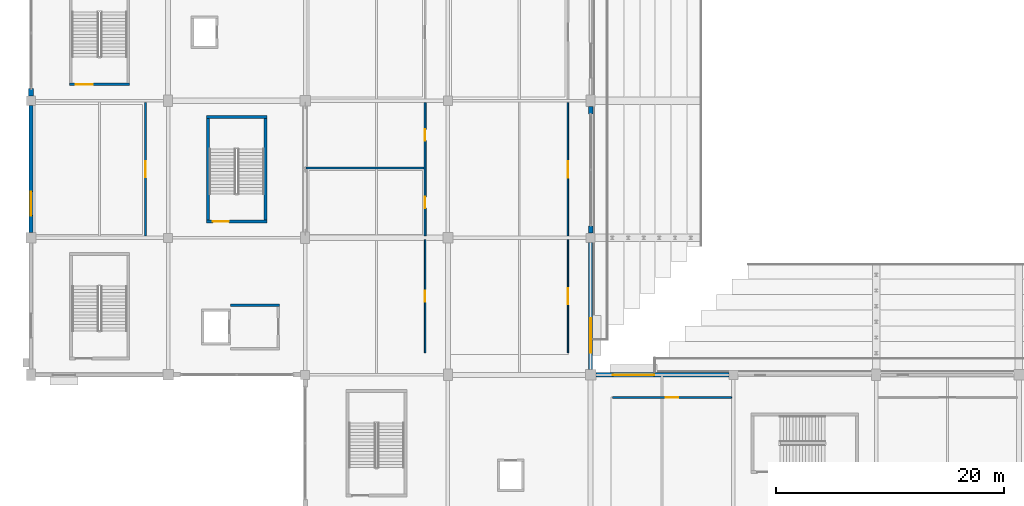
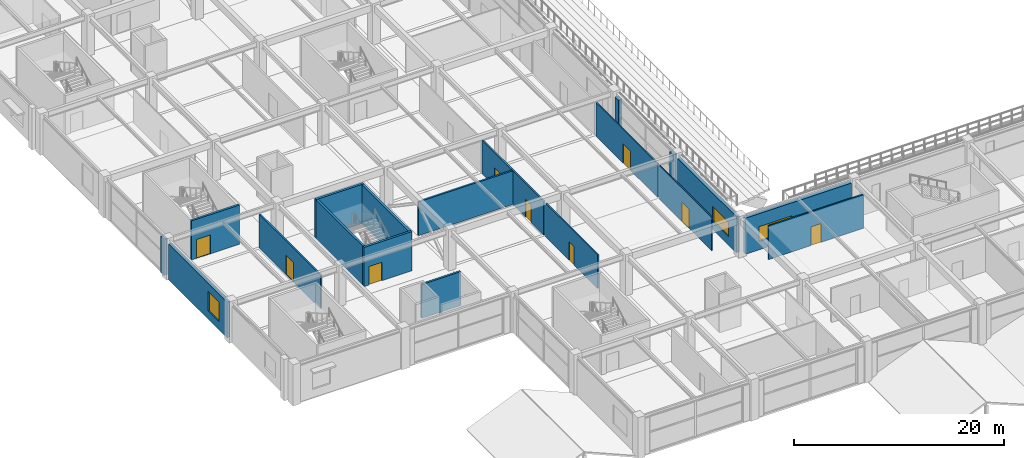
# One storey, part 77 of 134: 19 walls, 9 doors, 3 windows, 12 openings.
"""IFC4 building model written with IfcOpenShell, lengths in metres."""

from ifc_helpers import new_model, si_unit, direction, frame, frame_2d, origin, place, context, subcontext, project, spatial, rectangle, extrude, material, layer, layer_set, type_object, element, fill, save


model = new_model("IFC4")

# Units and contexts
model_context = context("Model", 3, precision=1e-05, world=origin(), true_north=direction((0.0, 1.0)))
body_context = subcontext(model_context, "Body", "Model", "MODEL_VIEW")
ifc_project = project(units=[si_unit("LENGTHUNIT", "METRE"), si_unit("AREAUNIT", "SQUARE_METRE"), si_unit("VOLUMEUNIT", "CUBIC_METRE"), si_unit("PLANEANGLEUNIT", "RADIAN"), si_unit("MASSUNIT", "GRAM", prefix="KILO")], contexts=[model_context])

# Site, building, storey
site_placement = place(None, origin())
site = spatial("IfcSite", under=ifc_project, at=site_placement, CompositionType="ELEMENT")
building_placement = place(site_placement, origin())
building = spatial("IfcBuilding", under=site, at=building_placement, Name="Kazenohara Klinker Stadium", CompositionType="ELEMENT")
storey_placement = place(building_placement, frame((0.0, 0.0, 5.39990234375)))
storey = spatial("IfcBuildingStorey", under=building, at=storey_placement, Name="L01", CompositionType="ELEMENT", Elevation=5.39990234375)

# Wall, opening, door
ifc_material_1 = material(Name="Concrete C40/50", Category="concrete")
ifc_layer_1 = layer(ifc_material_1, 0.22998046875)
ifc_layer_set_1 = layer_set([ifc_layer_1], Name="Concrete C40/50")
wall_type_1 = type_object("IfcWallType", Name="WAL-CORE-230", PredefinedType="SHEAR", material=ifc_layer_set_1)
wall_1_placement = place(storey_placement, frame((3.3701171875, 61.43505859375, 0.0), z_axis=(0.0, 0.0, 1.0), x_axis=(1.0, 0.0, 0.0)))
wall_1 = element("IfcWall", 1, at=wall_1_placement, inside=storey, type_object=wall_type_1, Name="Stairwell shear wall ST02 L01 South", PredefinedType="SHEAR", context=body_context, shape_type="SweptSolid", body=[
    extrude(rectangle(XDim=5.259765625, YDim=0.22998046875, at=frame_2d((2.6298828125, 0.0))), origin(), (0.0, 0.0, 1.0), 4.550048828125),
])
opening_1_placement = place(wall_1_placement, frame((0.550048828125, 0.0, 0.0)))
opening_1 = element("IfcOpeningElement", 2, at=opening_1_placement, cuts=wall_1, Name="Opening SD02", PredefinedType="OPENING", context=body_context, shape_type="SweptSolid", body=[
    extrude(rectangle(XDim=1.5, YDim=2.199951171875, at=frame_2d((0.75, 1.10009765625))), frame((0.0, 0.125, 0.0), z_axis=(0.0, -1.0, 0.0), x_axis=(1.0, 0.0, 0.0)), (0.0, 0.0, 1.0), 0.25),
])
ifc_material_2 = material(Name="Flush painted steel fire door leaf", Category="steel")
door_type_1 = type_object("IfcDoorType", Name="DR-STR-1500x2200", OperationType="NOTDEFINED", PredefinedType="DOOR", material=ifc_material_2)
door_1_placement = place(opening_1_placement, origin())
door_1 = element("IfcDoor", 3, at=door_1_placement, inside=storey, type_object=door_type_1, Name="Escape stairwell fire door ST02-L01", OperationType="SINGLE_SWING_RIGHT", OverallHeight=2.199951171875, OverallWidth=1.5, PredefinedType="DOOR", context=body_context, shape_type="SweptSolid", body=[
    extrude(rectangle(XDim=1.5, YDim=2.199951171875, at=frame_2d((0.75, 1.10009765625))), frame((0.0, 0.02490234375, 0.0), z_axis=(0.0, -1.0, 0.0), x_axis=(1.0, 0.0, 0.0)), (0.0, 0.0, 1.0), 0.050048828125),
])
fill(opening_1, door_1)

ifc_layer_2 = layer(ifc_material_1, 0.25)
ifc_layer_set_2 = layer_set([ifc_layer_2], Name="Concrete C40/50")
wall_type_2 = type_object("IfcWallType", Name="WAL-CORE-250", PredefinedType="SHEAR", material=ifc_layer_set_2)
wall_2_placement = place(storey_placement, frame((15.360107421875, 49.425048828125, 0.0), z_axis=(0.0, 0.0, 1.0), x_axis=(1.0, 0.0, 0.0)))
wall_2 = element("IfcWall", 4, at=wall_2_placement, inside=storey, type_object=wall_type_2, Name="Stairwell shear wall ST13 L01 South", PredefinedType="SHEAR", context=body_context, shape_type="SweptSolid", body=[
    extrude(rectangle(XDim=5.27978515625, YDim=0.25, at=frame_2d((2.639892578125, 0.0))), origin(), (0.0, 0.0, 1.0), 4.550048828125),
])
opening_2_placement = place(wall_2_placement, frame((0.550048828125, 0.0, 0.0)))
opening_2 = element("IfcOpeningElement", 5, at=opening_2_placement, cuts=wall_2, Name="Opening SD01", PredefinedType="OPENING", context=body_context, shape_type="SweptSolid", body=[
    extrude(rectangle(XDim=1.39990234375, YDim=2.14990234375, at=frame_2d((0.699951171875, 1.074951171875))), frame((0.0, 0.135009765625, 0.0), z_axis=(0.0, -1.0, 0.0), x_axis=(1.0, 0.0, 0.0)), (0.0, 0.0, 1.0), 0.27001953125),
])
door_type_2 = type_object("IfcDoorType", Name="DR-STR-1400x2150", OperationType="NOTDEFINED", PredefinedType="DOOR", material=ifc_material_2)
door_2_placement = place(opening_2_placement, origin())
door_2 = element("IfcDoor", 6, at=door_2_placement, inside=storey, type_object=door_type_2, Name="Escape stairwell fire door ST13-L01", OperationType="SINGLE_SWING_RIGHT", OverallHeight=2.14990234375, OverallWidth=1.39990234375, PredefinedType="DOOR", context=body_context, shape_type="SweptSolid", body=[
    extrude(rectangle(XDim=1.39990234375, YDim=2.14990234375, at=frame_2d((0.699951171875, 1.074951171875))), frame((0.0, 0.02490234375, 0.0), z_axis=(0.0, -1.0, 0.0), x_axis=(1.0, 0.0, 0.0)), (0.0, 0.0, 1.0), 0.050048828125),
])
fill(opening_2, door_2)

# Walls
wall_3_placement = place(storey_placement, frame((15.360107421875, 58.574951171875, 0.0), z_axis=(0.0, 0.0, 1.0), x_axis=(1.0, 0.0, 0.0)))
element("IfcWall", 7, at=wall_3_placement, inside=storey, type_object=wall_type_2, Name="Stairwell shear wall ST13 L01 North", PredefinedType="SHEAR", context=body_context, shape_type="SweptSolid", body=[
    extrude(rectangle(XDim=5.27978515625, YDim=0.25, at=frame_2d((2.639892578125, 0.0))), origin(), (0.0, 0.0, 1.0), 4.550048828125),
])
for number, where, z_axis, x_axis, name in (
    (8, (15.485107421875, 49.550048828125, 0.0), (0.0, 0.0, 1.0), (0.0, 1.0, 0.0), "Stairwell shear wall ST13 L01 West"),
    (9, (20.514892578125, 49.550048828125, 0.0), (0.0, 0.0, 1.0), (0.0, 1.0, 0.0), "Stairwell shear wall ST13 L01 East"),
):
    element("IfcWall", number, at=place(storey_placement, frame(where, z_axis=z_axis, x_axis=x_axis)), inside=storey, type_object=wall_type_2, Name=name, PredefinedType="SHEAR", context=body_context, shape_type="SweptSolid", body=[
        extrude(rectangle(XDim=8.89990234375, YDim=0.25, at=frame_2d((4.449951171875, 0.0))), origin(), (0.0, 0.0, 1.0), 4.550048828125),
    ])

# Wall, opening, window
ifc_material_3 = material(Name="Clinker brick masonry", Category="masonry")
ifc_layer_3 = layer(ifc_material_3, 0.340087890625)
ifc_layer_set_3 = layer_set([ifc_layer_3], Name="Clinker brick masonry")
wall_type_3 = type_object("IfcWallType", Name="WAL-EXT-CB340", PredefinedType="SOLIDWALL", material=ifc_layer_set_3)
wall_4_placement = place(storey_placement, frame((0.0, 48.4541015625, 0.0), z_axis=(0.0, 0.0, 1.0), x_axis=(0.0, 1.0, 0.0)))
wall_4 = element("IfcWall", 10, at=wall_4_placement, inside=storey, type_object=wall_type_3, Name="Clinker brick cavity wall EW04 L01 Y0-4", PredefinedType="SOLIDWALL", context=body_context, shape_type="SweptSolid", body=[
    extrude(rectangle(XDim=11.141845703125, YDim=0.340087890625, at=frame_2d((5.57080078125, 0.0))), origin(), (0.0, 0.0, 1.0), 4.150146484375),
])
opening_3_placement = place(wall_4_placement, frame((1.5, 0.0, 0.949951171875)))
opening_3 = element("IfcOpeningElement", 11, at=opening_3_placement, cuts=wall_4, Name="Opening W19", PredefinedType="OPENING", context=body_context, shape_type="SweptSolid", body=[
    extrude(rectangle(XDim=2.10009765625, YDim=2.25, at=frame_2d((1.050048828125, 1.125))), frame((0.0, 0.18017578125, 0.0), z_axis=(0.0, -1.0, 0.0), x_axis=(1.0, 0.0, 0.0)), (0.0, 0.0, 1.0), 0.360107421875),
])
ifc_material_4 = material(Name="Dark bronze aluminium frame and triple glazing", Category="aluminium")
window_type_1 = type_object("IfcWindowType", Name="WIN-AS-19", PartitioningType="SINGLE_PANEL", PredefinedType="WINDOW", material=ifc_material_4)
window_1_placement = place(opening_3_placement, origin())
window_1 = element("IfcWindow", 12, at=window_1_placement, inside=storey, type_object=window_type_1, Name="Horizontal-mullion ladder window W19 L01 Y0-4", OverallHeight=2.25, OverallWidth=2.10009765625, PartitioningType="SINGLE_PANEL", PredefinedType="WINDOW", context=body_context, shape_type="SweptSolid", body=[
    extrude(rectangle(XDim=2.10009765625, YDim=2.25, at=frame_2d((1.050048828125, 1.125))), frame((0.0, 0.030029296875, 0.0), z_axis=(0.0, -1.0, 0.0), x_axis=(1.0, 0.0, 0.0)), (0.0, 0.0, 1.0), 0.06005859375),
])
fill(opening_3, window_1)

wall_5_placement = place(storey_placement, frame((49.0, 36.4541015625, 0.0), z_axis=(0.0, 0.0, 1.0), x_axis=(0.0, 1.0, 0.0)))
wall_5 = element("IfcWall", 13, at=wall_5_placement, inside=storey, type_object=wall_type_3, Name="Clinker brick cavity wall EW04 L01 Y4-3", PredefinedType="SOLIDWALL", context=body_context, shape_type="SweptSolid", body=[
    extrude(rectangle(XDim=11.141845703125, YDim=0.340087890625, at=frame_2d((5.57080078125, 0.0))), origin(), (0.0, 0.0, 1.0), 4.2001953125),
])
opening_4_placement = place(wall_5_placement, frame((1.5, 0.0, 0.949951171875)))
opening_4 = element("IfcOpeningElement", 14, at=opening_4_placement, cuts=wall_5, Name="Opening W30", PredefinedType="OPENING", context=body_context, shape_type="SweptSolid", body=[
    extrude(rectangle(XDim=3.0, YDim=1.699951171875, at=frame_2d((1.5, 0.85009765625))), frame((0.0, 0.18017578125, 0.0), z_axis=(0.0, -1.0, 0.0), x_axis=(1.0, 0.0, 0.0)), (0.0, 0.0, 1.0), 0.360107421875),
])
window_type_2 = type_object("IfcWindowType", Name="WIN-AS-30", PartitioningType="SINGLE_PANEL", PredefinedType="WINDOW", material=ifc_material_4)
window_2_placement = place(opening_4_placement, origin())
window_2 = element("IfcWindow", 15, at=window_2_placement, inside=storey, type_object=window_type_2, Name="Horizontal-mullion ladder window W30 L01 Y4-3", OverallHeight=1.699951171875, OverallWidth=3.0, PartitioningType="SINGLE_PANEL", PredefinedType="WINDOW", context=body_context, shape_type="SweptSolid", body=[
    extrude(rectangle(XDim=3.0, YDim=1.699951171875, at=frame_2d((1.5, 0.85009765625))), frame((0.0, 0.030029296875, 0.0), z_axis=(0.0, -1.0, 0.0), x_axis=(1.0, 0.0, 0.0)), (0.0, 0.0, 1.0), 0.06005859375),
])
fill(opening_4, window_2)

# Walls
ifc_layer_4 = layer(ifc_material_3, 0.409912109375)
ifc_layer_set_4 = layer_set([ifc_layer_4], Name="Clinker brick masonry")
wall_type_4 = type_object("IfcWallType", Name="WAL-EXT-CB410", PredefinedType="SOLIDWALL", material=ifc_layer_set_4)
wall_6_placement = place(storey_placement, frame((0.0, 60.404052734375, 0.0), z_axis=(0.0, 0.0, 1.0), x_axis=(0.0, 1.0, 0.0)))
element("IfcWall", 16, at=wall_6_placement, inside=storey, type_object=wall_type_4, Name="Clinker brick curtain-wall jamb pier L01 Y0-5 A", PredefinedType="SOLIDWALL", context=body_context, shape_type="SweptSolid", body=[
    extrude(rectangle(XDim=0.64990234375, YDim=0.409912109375, at=frame_2d((0.324951171875, 0.0))), origin(), (0.0, 0.0, 1.0), 4.2001953125),
])
wall_7_placement = place(storey_placement, frame((49.0, 48.404052734375, 0.0), z_axis=(0.0, 0.0, 1.0), x_axis=(0.0, 1.0, 0.0)))
element("IfcWall", 17, at=wall_7_placement, inside=storey, type_object=wall_type_4, Name="Clinker brick curtain-wall jamb pier L01 Y4-4 A", PredefinedType="SOLIDWALL", context=body_context, shape_type="SweptSolid", body=[
    extrude(rectangle(XDim=0.64990234375, YDim=0.409912109375, at=frame_2d((0.324951171875, 0.0))), origin(), (0.0, 0.0, 1.0), 4.150146484375),
])
wall_8_placement = place(storey_placement, frame((49.0, 58.845947265625, 0.0), z_axis=(0.0, 0.0, 1.0), x_axis=(0.0, 1.0, 0.0)))
element("IfcWall", 18, at=wall_8_placement, inside=storey, type_object=wall_type_4, Name="Clinker brick curtain-wall jamb pier L01 Y4-4 B", PredefinedType="SOLIDWALL", context=body_context, shape_type="SweptSolid", body=[
    extrude(rectangle(XDim=0.650146484375, YDim=0.409912109375, at=frame_2d((0.3251953125, 0.0))), origin(), (0.0, 0.0, 1.0), 4.150146484375),
])

# Wall, opening, window
wall_9_placement = place(storey_placement, frame((49.4541015625, 36.0, 0.0), z_axis=(0.0, 0.0, 1.0), x_axis=(1.0, 0.0, 0.0)))
wall_9 = element("IfcWall", 19, at=wall_9_placement, inside=storey, type_object=wall_type_4, Name="Clinker brick cavity wall EW02 L01 X4-3", PredefinedType="SOLIDWALL", context=body_context, shape_type="SweptSolid", body=[
    extrude(rectangle(XDim=11.641845703125, YDim=0.409912109375, at=frame_2d((5.82080078125, 0.0))), origin(), (0.0, 0.0, 1.0), 4.2001953125),
])
opening_5_placement = place(wall_9_placement, frame((1.5, 0.0, 0.949951171875)))
opening_5 = element("IfcOpeningElement", 20, at=opening_5_placement, cuts=wall_9, Name="Opening W35", PredefinedType="OPENING", context=body_context, shape_type="SweptSolid", body=[
    extrude(rectangle(XDim=3.60009765625, YDim=1.75, at=frame_2d((1.800048828125, 0.875))), frame((0.0, 0.21484375, 0.0), z_axis=(0.0, -1.0, 0.0), x_axis=(1.0, 0.0, 0.0)), (0.0, 0.0, 1.0), 0.429931640625),
])
window_type_3 = type_object("IfcWindowType", Name="WIN-AS-35", PartitioningType="SINGLE_PANEL", PredefinedType="WINDOW", material=ifc_material_4)
window_3_placement = place(opening_5_placement, origin())
window_3 = element("IfcWindow", 21, at=window_3_placement, inside=storey, type_object=window_type_3, Name="Horizontal-mullion ladder window W35 L01 X4-3", OverallHeight=1.75, OverallWidth=3.60009765625, PartitioningType="SINGLE_PANEL", PredefinedType="WINDOW", context=body_context, shape_type="SweptSolid", body=[
    extrude(rectangle(XDim=3.60009765625, YDim=1.75, at=frame_2d((1.800048828125, 0.875))), frame((0.0, 0.030029296875, 0.0), z_axis=(0.0, -1.0, 0.0), x_axis=(1.0, 0.0, 0.0)), (0.0, 0.0, 1.0), 0.06005859375),
])
fill(opening_5, window_3)

# Wall
ifc_layer_5 = layer(ifc_material_1, 0.219970703125)
ifc_layer_set_5 = layer_set([ifc_layer_5], Name="Concrete C40/50")
wall_type_5 = type_object("IfcWallType", Name="WAL-INT-FF220", PredefinedType="SOLIDWALL", material=ifc_layer_set_5)
wall_10_placement = place(storey_placement, frame((17.47998046875, 42.110107421875, 0.0), z_axis=(0.0, 0.0, 1.0), x_axis=(1.0, 0.0, 0.0)))
element("IfcWall", 22, at=wall_10_placement, inside=storey, type_object=wall_type_5, Name="Firefighting lobby wall LF01 L01 North", PredefinedType="SOLIDWALL", context=body_context, shape_type="SweptSolid", body=[
    extrude(rectangle(XDim=4.2900390625, YDim=0.219970703125, at=frame_2d((2.14501953125, 0.0))), origin(), (0.0, 0.0, 1.0), 3.920166015625),
])

# Wall, opening, door
ifc_material_5 = material(Name="Fire-rated gypsum board on acoustic studs", Category="gypsum")
ifc_layer_6 = layer(ifc_material_5, 0.110107421875)
ifc_layer_set_6 = layer_set([ifc_layer_6], Name="Fire-rated gypsum board on acoustic studs")
wall_type_6 = type_object("IfcWallType", Name="WAL-INT-P110", PredefinedType="PARTITIONING", material=ifc_layer_set_6)
wall_11_placement = place(storey_placement, frame((47.010009765625, 37.919921875, 0.0), z_axis=(0.0, 0.0, 1.0), x_axis=(0.0, 1.0, 0.0)))
wall_11 = element("IfcWall", 23, at=wall_11_placement, inside=storey, type_object=wall_type_6, Name="Interior partition wall PT01 SPC-L01-03-03-1-1", PredefinedType="PARTITIONING", context=body_context, shape_type="SweptSolid", body=[
    extrude(rectangle(XDim=9.920166015625, YDim=0.110107421875, at=frame_2d((4.9599609375, 0.0))), origin(), (0.0, 0.0, 1.0), 3.920166015625),
])
opening_6_placement = place(wall_11_placement, frame((4.260009765625, 0.0, 0.0)))
opening_6 = element("IfcOpeningElement", 24, at=opening_6_placement, cuts=wall_11, Name="Opening ID18", PredefinedType="OPENING", context=body_context, shape_type="SweptSolid", body=[
    extrude(rectangle(XDim=1.39990234375, YDim=2.239990234375, at=frame_2d((0.699951171875, 1.1201171875))), frame((0.0, 0.06494140625, 0.0), z_axis=(0.0, -1.0, 0.0), x_axis=(1.0, 0.0, 0.0)), (0.0, 0.0, 1.0), 0.130126953125),
])
ifc_material_6 = material(Name="Solid-core Hokkaido oak fire door", Category="wood")
door_type_3 = type_object("IfcDoorType", Name="DR-INT-18", OperationType="NOTDEFINED", PredefinedType="DOOR", material=ifc_material_6)
door_3_placement = place(opening_6_placement, origin())
door_3 = element("IfcDoor", 25, at=door_3_placement, inside=storey, type_object=door_type_3, Name="Interior door ID18 Concourse Hokkaido Seafood Bistro L01-0303A", OperationType="SINGLE_SWING_LEFT", OverallHeight=2.239990234375, OverallWidth=1.39990234375, PredefinedType="DOOR", context=body_context, shape_type="SweptSolid", body=[
    extrude(rectangle(XDim=1.39990234375, YDim=2.239990234375, at=frame_2d((0.699951171875, 1.1201171875))), frame((0.0, 0.02490234375, 0.0), z_axis=(0.0, -1.0, 0.0), x_axis=(1.0, 0.0, 0.0)), (0.0, 0.0, 1.0), 0.050048828125),
])
fill(opening_6, door_3)

ifc_layer_7 = layer(ifc_material_5, 0.139892578125)
ifc_layer_set_7 = layer_set([ifc_layer_7], Name="Fire-rated gypsum board on acoustic studs")
wall_type_7 = type_object("IfcWallType", Name="WAL-INT-P140", PredefinedType="PARTITIONING", material=ifc_layer_set_7)
wall_12_placement = place(storey_placement, frame((34.510009765625, 37.919921875, 0.0), z_axis=(0.0, 0.0, 1.0), x_axis=(0.0, 1.0, 0.0)))
wall_12 = element("IfcWall", 26, at=wall_12_placement, inside=storey, type_object=wall_type_7, Name="Interior partition wall PT03 SPC-L01-02-03-1-1", PredefinedType="PARTITIONING", context=body_context, shape_type="SweptSolid", body=[
    extrude(rectangle(XDim=9.920166015625, YDim=0.139892578125, at=frame_2d((4.9599609375, 0.0))), origin(), (0.0, 0.0, 1.0), 3.920166015625),
])
opening_7_placement = place(wall_12_placement, frame((4.485107421875, 0.0, 0.0)))
opening_7 = element("IfcOpeningElement", 27, at=opening_7_placement, cuts=wall_12, Name="Opening ID03", PredefinedType="OPENING", context=body_context, shape_type="SweptSolid", body=[
    extrude(rectangle(XDim=0.949951171875, YDim=2.1201171875, at=frame_2d((0.47509765625, 1.06005859375))), frame((0.0, 0.080078125, 0.0), z_axis=(0.0, -1.0, 0.0), x_axis=(1.0, 0.0, 0.0)), (0.0, 0.0, 1.0), 0.159912109375),
])
door_type_4 = type_object("IfcDoorType", Name="DR-INT-03", OperationType="NOTDEFINED", PredefinedType="DOOR", material=ifc_material_6)
door_4_placement = place(opening_7_placement, origin())
door_4 = element("IfcDoor", 28, at=door_4_placement, inside=storey, type_object=door_type_4, Name="Interior door ID03 Community Martial Arts Fitness Studio L01-0203A", OperationType="SINGLE_SWING_RIGHT", OverallHeight=2.1201171875, OverallWidth=0.949951171875, PredefinedType="DOOR", context=body_context, shape_type="SweptSolid", body=[
    extrude(rectangle(XDim=0.949951171875, YDim=2.1201171875, at=frame_2d((0.47509765625, 1.06005859375))), frame((0.0, 0.02490234375, 0.0), z_axis=(0.0, -1.0, 0.0), x_axis=(1.0, 0.0, 0.0)), (0.0, 0.0, 1.0), 0.050048828125),
])
fill(opening_7, door_4)

wall_13_placement = place(storey_placement, frame((47.010009765625, 48.159912109375, 0.0), z_axis=(0.0, 0.0, 1.0), x_axis=(0.0, 1.0, 0.0)))
wall_13 = element("IfcWall", 29, at=wall_13_placement, inside=storey, type_object=wall_type_7, Name="Interior partition wall PT03 SPC-L01-03-04-1-1", PredefinedType="PARTITIONING", context=body_context, shape_type="SweptSolid", body=[
    extrude(rectangle(XDim=11.68017578125, YDim=0.139892578125, at=frame_2d((5.840087890625, 0.0))), origin(), (0.0, 0.0, 1.0), 3.920166015625),
])
opening_8_placement = place(wall_13_placement, frame((5.1201171875, 0.0, 0.0)))
opening_8 = element("IfcOpeningElement", 30, at=opening_8_placement, cuts=wall_13, Name="Opening ID19", PredefinedType="OPENING", context=body_context, shape_type="SweptSolid", body=[
    extrude(rectangle(XDim=1.43994140625, YDim=2.260009765625, at=frame_2d((0.719970703125, 1.1298828125))), frame((0.0, 0.080078125, 0.0), z_axis=(0.0, -1.0, 0.0), x_axis=(1.0, 0.0, 0.0)), (0.0, 0.0, 1.0), 0.159912109375),
])
ifc_material_7 = material(Name="Painted steel plant fire door", Category="steel")
door_type_5 = type_object("IfcDoorType", Name="DR-INT-19", OperationType="NOTDEFINED", PredefinedType="DOOR", material=ifc_material_7)
door_5_placement = place(opening_8_placement, origin())
door_5 = element("IfcDoor", 31, at=door_5_placement, inside=storey, type_object=door_type_5, Name="Interior door ID19 Community Martial Arts Fitness Studio L01-0304A", OperationType="SINGLE_SWING_RIGHT", OverallHeight=2.260009765625, OverallWidth=1.43994140625, PredefinedType="DOOR", context=body_context, shape_type="SweptSolid", body=[
    extrude(rectangle(XDim=1.43994140625, YDim=2.260009765625, at=frame_2d((0.719970703125, 1.1298828125))), frame((0.0, 0.02490234375, 0.0), z_axis=(0.0, -1.0, 0.0), x_axis=(1.0, 0.0, 0.0)), (0.0, 0.0, 1.0), 0.050048828125),
])
fill(opening_8, door_5)

ifc_layer_8 = layer(ifc_material_5, 0.14990234375)
ifc_layer_set_8 = layer_set([ifc_layer_8], Name="Fire-rated gypsum board on acoustic studs")
wall_type_8 = type_object("IfcWallType", Name="WAL-INT-P150", PredefinedType="PARTITIONING", material=ifc_layer_set_8)
wall_14_placement = place(storey_placement, frame((50.919921875, 34.010009765625, 0.0), z_axis=(0.0, 0.0, 1.0), x_axis=(1.0, 0.0, 0.0)))
wall_14 = element("IfcWall", 32, at=wall_14_placement, inside=storey, type_object=wall_type_8, Name="Interior partition wall PT04 SPC-L01-04-02-1-1", PredefinedType="PARTITIONING", context=body_context, shape_type="SweptSolid", body=[
    extrude(rectangle(XDim=10.420166015625, YDim=0.14990234375, at=frame_2d((5.2099609375, 0.0))), origin(), (0.0, 0.0, 1.0), 3.920166015625),
])
opening_9_placement = place(wall_14_placement, frame((5.77001953125, 0.0, 0.0), z_axis=(0.0, 0.0, 1.0), x_axis=(-1.0, 0.0, 0.0)))
opening_9 = element("IfcOpeningElement", 33, at=opening_9_placement, cuts=wall_14, Name="Opening ID09", PredefinedType="OPENING", context=body_context, shape_type="SweptSolid", body=[
    extrude(rectangle(XDim=1.1201171875, YDim=2.179931640625, at=frame_2d((0.56005859375, 1.08984375))), frame((0.0, 0.0849609375, 0.0), z_axis=(0.0, -1.0, 0.0), x_axis=(1.0, 0.0, 0.0)), (0.0, 0.0, 1.0), 0.169921875),
])
door_type_6 = type_object("IfcDoorType", Name="DR-INT-09", OperationType="NOTDEFINED", PredefinedType="DOOR", material=ifc_material_6)
door_6_placement = place(opening_9_placement, origin())
door_6 = element("IfcDoor", 34, at=door_6_placement, inside=storey, type_object=door_type_6, Name="Interior door ID09 Community Martial Arts Fitness Studio L01-0402A", OperationType="SINGLE_SWING_RIGHT", OverallHeight=2.179931640625, OverallWidth=1.1201171875, PredefinedType="DOOR", context=body_context, shape_type="SweptSolid", body=[
    extrude(rectangle(XDim=1.1201171875, YDim=2.179931640625, at=frame_2d((0.56005859375, 1.08984375))), frame((0.0, 0.02490234375, 0.0), z_axis=(0.0, -1.0, 0.0), x_axis=(1.0, 0.0, 0.0)), (0.0, 0.0, 1.0), 0.050048828125),
])
fill(opening_9, door_6)

ifc_layer_9 = layer(ifc_material_5, 0.169921875)
ifc_layer_set_9 = layer_set([ifc_layer_9], Name="Fire-rated gypsum board on acoustic studs")
wall_type_9 = type_object("IfcWallType", Name="WAL-INT-P170", PredefinedType="PARTITIONING", material=ifc_layer_set_9)
wall_15_placement = place(storey_placement, frame((10.010009765625, 48.159912109375, 0.0), z_axis=(0.0, 0.0, 1.0), x_axis=(0.0, 1.0, 0.0)))
wall_15 = element("IfcWall", 35, at=wall_15_placement, inside=storey, type_object=wall_type_9, Name="Interior partition wall PT05 SPC-L01-00-04-1-1", PredefinedType="PARTITIONING", context=body_context, shape_type="SweptSolid", body=[
    extrude(rectangle(XDim=11.68017578125, YDim=0.169921875, at=frame_2d((5.840087890625, 0.0))), origin(), (0.0, 0.0, 1.0), 3.920166015625),
])
opening_10_placement = place(wall_15_placement, frame((5.139892578125, 0.0, 0.0)))
opening_10 = element("IfcOpeningElement", 36, at=opening_10_placement, cuts=wall_15, Name="Opening ID18", PredefinedType="OPENING", context=body_context, shape_type="SweptSolid", body=[
    extrude(rectangle(XDim=1.39990234375, YDim=2.239990234375, at=frame_2d((0.699951171875, 1.1201171875))), frame((0.0, 0.094970703125, 0.0), z_axis=(0.0, -1.0, 0.0), x_axis=(1.0, 0.0, 0.0)), (0.0, 0.0, 1.0), 0.18994140625),
])
door_7_placement = place(opening_10_placement, origin())
door_7 = element("IfcDoor", 37, at=door_7_placement, inside=storey, type_object=door_type_3, Name="Interior door ID18 Family Sensory Hospitality Lounge L01-0004A", OperationType="SINGLE_SWING_LEFT", OverallHeight=2.239990234375, OverallWidth=1.39990234375, PredefinedType="DOOR", context=body_context, shape_type="SweptSolid", body=[
    extrude(rectangle(XDim=1.39990234375, YDim=2.239990234375, at=frame_2d((0.699951171875, 1.1201171875))), frame((0.0, 0.02490234375, 0.0), z_axis=(0.0, -1.0, 0.0), x_axis=(1.0, 0.0, 0.0)), (0.0, 0.0, 1.0), 0.050048828125),
])
fill(opening_10, door_7)

# Wall, openings, doors
wall_16_placement = place(storey_placement, frame((34.510009765625, 48.159912109375, 0.0), z_axis=(0.0, 0.0, 1.0), x_axis=(0.0, 1.0, 0.0)))
wall_16 = element("IfcWall", 38, at=wall_16_placement, inside=storey, type_object=wall_type_9, Name="Interior partition wall PT05 SPC-L01-02-04-1-1", PredefinedType="PARTITIONING", context=body_context, shape_type="SweptSolid", body=[
    extrude(rectangle(XDim=11.68017578125, YDim=0.169921875, at=frame_2d((5.840087890625, 0.0))), origin(), (0.0, 0.0, 1.0), 3.920166015625),
])
opening_11_placement = place(wall_16_placement, frame((2.448486328125, 0.0, 0.0)))
opening_11 = element("IfcOpeningElement", 39, at=opening_11_placement, cuts=wall_16, Name="Opening ID04", PredefinedType="OPENING", context=body_context, shape_type="SweptSolid", body=[
    extrude(rectangle(XDim=0.97998046875, YDim=2.10009765625, at=frame_2d((0.489990234375, 1.050048828125))), frame((0.0, 0.094970703125, 0.0), z_axis=(0.0, -1.0, 0.0), x_axis=(1.0, 0.0, 0.0)), (0.0, 0.0, 1.0), 0.18994140625),
])
opening_12_placement = place(wall_16_placement, frame((8.3583984375, 0.0, 0.0)))
opening_12 = element("IfcOpeningElement", 40, at=opening_12_placement, cuts=wall_16, Name="Opening ID05", PredefinedType="OPENING", context=body_context, shape_type="SweptSolid", body=[
    extrude(rectangle(XDim=1.0, YDim=2.139892578125, at=frame_2d((0.5, 1.06982421875))), frame((0.0, 0.094970703125, 0.0), z_axis=(0.0, -1.0, 0.0), x_axis=(1.0, 0.0, 0.0)), (0.0, 0.0, 1.0), 0.18994140625),
])
door_type_7 = type_object("IfcDoorType", Name="DR-INT-04", OperationType="NOTDEFINED", PredefinedType="DOOR", material=ifc_material_6)
door_8_placement = place(opening_11_placement, origin())
door_8 = element("IfcDoor", 41, at=door_8_placement, inside=storey, type_object=door_type_7, Name="Interior door ID04 Family Sensory Hospitality Lounge L01-0204A", OperationType="SINGLE_SWING_LEFT", OverallHeight=2.10009765625, OverallWidth=0.97998046875, PredefinedType="DOOR", context=body_context, shape_type="SweptSolid", body=[
    extrude(rectangle(XDim=0.97998046875, YDim=2.10009765625, at=frame_2d((0.489990234375, 1.050048828125))), frame((0.0, 0.02490234375, 0.0), z_axis=(0.0, -1.0, 0.0), x_axis=(1.0, 0.0, 0.0)), (0.0, 0.0, 1.0), 0.050048828125),
])
fill(opening_11, door_8)
door_type_8 = type_object("IfcDoorType", Name="DR-INT-05", OperationType="NOTDEFINED", PredefinedType="DOOR", material=ifc_material_6)
door_9_placement = place(opening_12_placement, origin())
door_9 = element("IfcDoor", 42, at=door_9_placement, inside=storey, type_object=door_type_8, Name="Interior door ID05 Youth Sports Coaching Classroom L01-0204B", OperationType="SINGLE_SWING_RIGHT", OverallHeight=2.139892578125, OverallWidth=1.0, PredefinedType="DOOR", context=body_context, shape_type="SweptSolid", body=[
    extrude(rectangle(XDim=1.0, YDim=2.139892578125, at=frame_2d((0.5, 1.06982421875))), frame((0.0, 0.02490234375, 0.0), z_axis=(0.0, -1.0, 0.0), x_axis=(1.0, 0.0, 0.0)), (0.0, 0.0, 1.0), 0.050048828125),
])
fill(opening_12, door_9)

# Wall
ifc_layer_10 = layer(ifc_material_5, 0.18994140625)
ifc_layer_set_10 = layer_set([ifc_layer_10], Name="Fire-rated gypsum board on acoustic studs")
wall_type_10 = type_object("IfcWallType", Name="WAL-INT-P190", PredefinedType="PARTITIONING", material=ifc_layer_set_10)
wall_17_placement = place(storey_placement, frame((24.080078125, 54.11669921875, 0.0), z_axis=(0.0, 0.0, 1.0), x_axis=(1.0, 0.0, 0.0)))
element("IfcWall", 43, at=wall_17_placement, inside=storey, type_object=wall_type_10, Name="Interior partition wall PT06 SPC-L01-02-04-1-2", PredefinedType="PARTITIONING", context=body_context, shape_type="SweptSolid", body=[
    extrude(rectangle(XDim=10.33984375, YDim=0.18994140625, at=frame_2d((5.169921875, 0.0))), origin(), (0.0, 0.0, 1.0), 3.920166015625),
])

save(model, "model.ifc")
